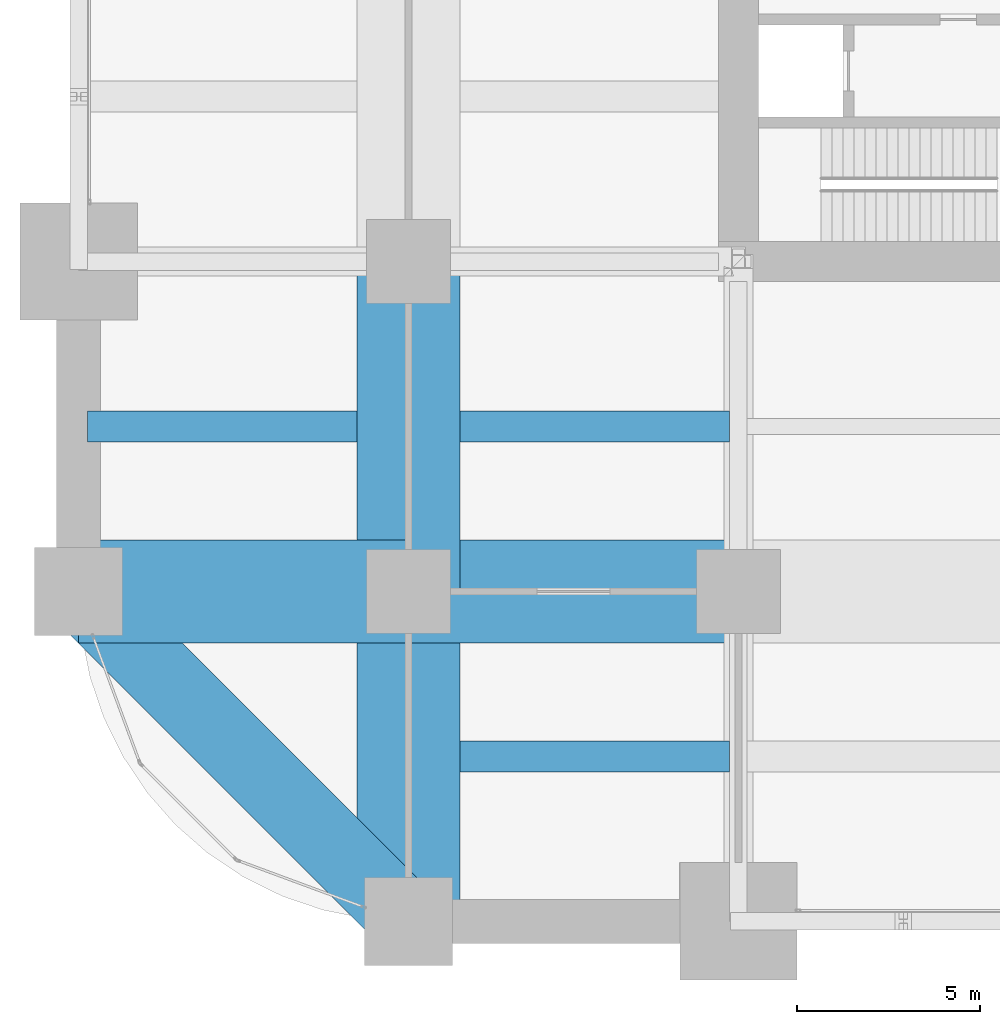
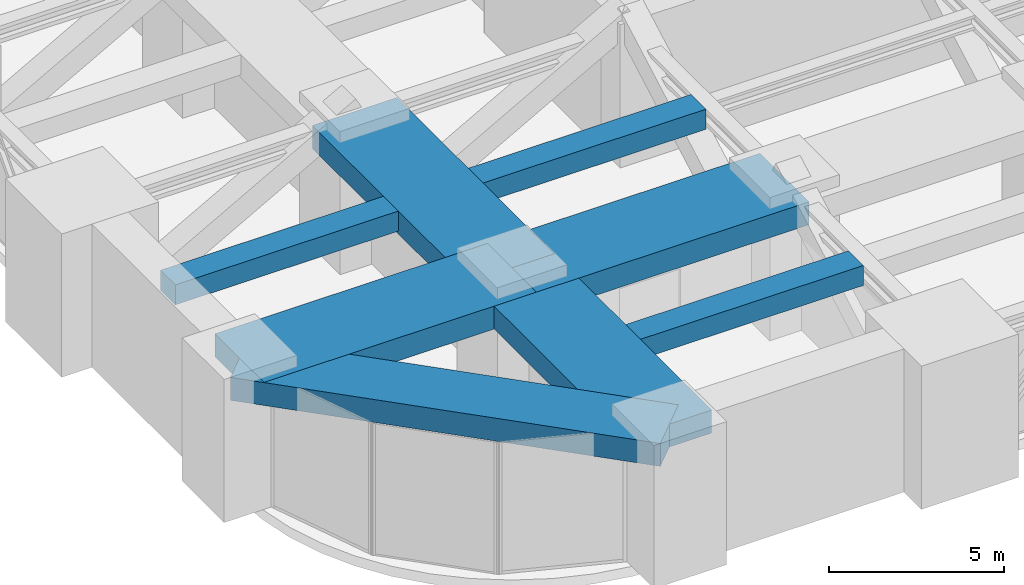
# One storey, part 3 of 35: 8 beams.
"""IFC4 building model written with IfcOpenShell, lengths in metres."""

from ifc_helpers import new_model, si_unit, direction, frame, origin, origin_2d, place, context, subcontext, project, spatial, rectangle, extrude, material, material_profile, profile_set, type_object, element, save


model = new_model("IFC4")

# Units and contexts
model_context = context("Model", 3, precision=1e-05, world=origin(), true_north=direction((0.0, 1.0)))
body_context = subcontext(model_context, "Body", "Model", "MODEL_VIEW")
ifc_project = project(units=[si_unit("LENGTHUNIT", "METRE"), si_unit("AREAUNIT", "SQUARE_METRE"), si_unit("VOLUMEUNIT", "CUBIC_METRE"), si_unit("PLANEANGLEUNIT", "RADIAN"), si_unit("MASSUNIT", "GRAM", prefix="KILO")], contexts=[model_context])

# Site, building, storey
site_placement = place(None, origin())
site = spatial("IfcSite", under=ifc_project, at=site_placement, CompositionType="ELEMENT")
building_placement = place(site_placement, origin())
building = spatial("IfcBuilding", under=site, at=building_placement, Name="Zorevar Civic Tower", CompositionType="ELEMENT")
storey_placement = place(building_placement, frame((0.0, 0.0, 80.0)))
storey = spatial("IfcBuildingStorey", under=building, at=storey_placement, Name="L19", CompositionType="ELEMENT", Elevation=80.0)

# Beams
ifc_material_1 = material(Name="Concrete C50/60", Category="concrete")
ifc_material_profile_1 = material_profile(ifc_material_1, rectangle(XDim=2.800048828125, YDim=0.800048828125, at=origin_2d()), Name="RC 2800x800")
ifc_profile_set_1 = profile_set([ifc_material_profile_1], Name="Concrete C50/60")
beam_type_1 = type_object("IfcBeamType", Name="Beam RC 2800x800", PredefinedType="BEAM", material=ifc_profile_set_1)
for number, where, z_axis, x_axis, name in (
    (1, (0.0, 9.0, 4.199951171875), (1.0, 0.0, 0.0), (0.0, 1.0, 0.0), "Girder L20"),
    (2, (9.0, 9.0, 4.199951171875), (1.0, 0.0, 0.0), (0.0, 1.0, 0.0), "Girder L20"),
    (3, (9.0, 0.0, 4.199951171875), (0.0, 1.0, 0.0), (-1.0, 0.0, 0.0), "Girder L20"),
    (4, (9.0, 9.0, 4.199951171875), (0.0, 1.0, 0.0), (-1.0, 0.0, 0.0), "Girder L20"),
):
    element("IfcBeam", number, at=place(storey_placement, frame(where, z_axis=z_axis, x_axis=x_axis)), inside=storey, type_object=beam_type_1, Name=name, PredefinedType="BEAM", context=body_context, shape_type="SweptSolid", body=[
        extrude(rectangle(XDim=2.800048828125, YDim=0.800048828125, at=origin_2d()), origin(), (0.0, 0.0, 1.0), 9.0),
    ])
ifc_material_2 = material(Name="Concrete C50/60", Category="concrete")
ifc_material_profile_2 = material_profile(ifc_material_2, rectangle(XDim=0.85009765625, YDim=0.699951171875, at=origin_2d()), Name="RC 850x700")
ifc_profile_set_2 = profile_set([ifc_material_profile_2], Name="Concrete C50/60")
beam_type_2 = type_object("IfcBeamType", Name="Beam RC 850x700", PredefinedType="BEAM", material=ifc_profile_set_2)
for number, where, z_axis, x_axis, name in (
    (5, (10.39990234375, 4.5, 4.25), (1.0, 0.0, 0.0), (0.0, 1.0, 0.0), "Secondary beam L20"),
    (6, (0.238037109375, 13.5, 4.25), (1.0, 0.0, 0.0), (0.0, 1.0, 0.0), "Secondary beam L20"),
    (7, (10.39990234375, 13.5, 4.25), (1.0, 0.0, 0.0), (0.0, 1.0, 0.0), "Secondary beam L20"),
):
    element("IfcBeam", number, at=place(storey_placement, frame(where, z_axis=z_axis, x_axis=x_axis)), inside=storey, type_object=beam_type_2, Name=name, PredefinedType="BEAM", context=body_context, shape_type="SweptSolid", body=[
        extrude(rectangle(XDim=0.85009765625, YDim=0.699951171875, at=origin_2d()), origin(), (0.0, 0.0, 1.0), 7.362060546875),
    ])
ifc_material_3 = material(Name="Concrete C50/60", Category="concrete")
ifc_material_profile_3 = material_profile(ifc_material_3, rectangle(XDim=2.0, YDim=0.800048828125, at=origin_2d()), Name="RC 2000x800")
ifc_profile_set_3 = profile_set([ifc_material_profile_3], Name="Concrete C50/60")
beam_type_3 = type_object("IfcBeamType", Name="Edge beam RC 2000x800", PredefinedType="SPANDREL", material=ifc_profile_set_3)
beam_placement = place(storey_placement, frame((0.0, 9.0, 4.199951171875), z_axis=(0.707106781187, -0.707106781187, 0.0), x_axis=(0.707106781187, 0.707106781187, 0.0)))
element("IfcBeam", 8, at=beam_placement, inside=storey, type_object=beam_type_3, Name="Corner edge beam L20", PredefinedType="SPANDREL", context=body_context, shape_type="SweptSolid", body=[
    extrude(rectangle(XDim=2.0, YDim=0.800048828125, at=origin_2d()), origin(), (0.0, 0.0, 1.0), 12.72802734375),
])

save(model, "model.ifc")
